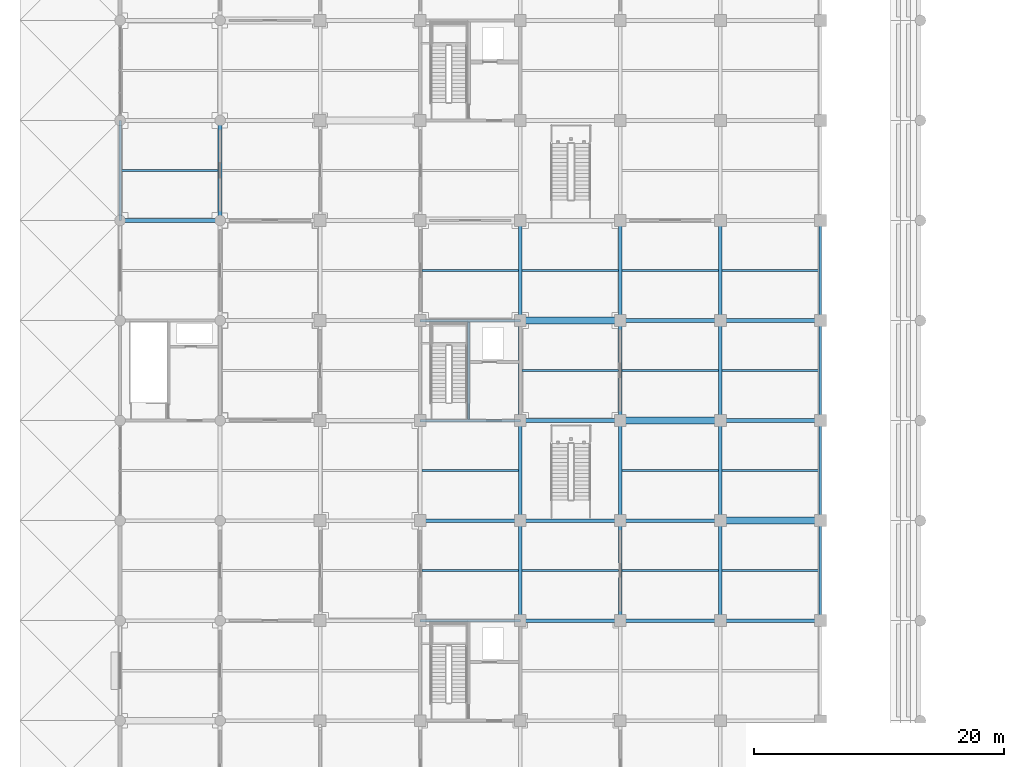
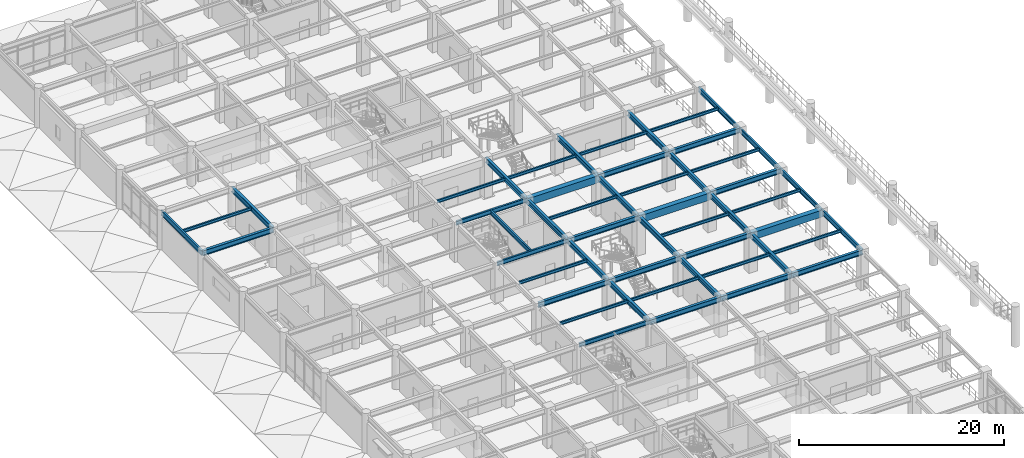
# One storey, part 16 of 109: 51 beams.
"""IFC4 building model written with IfcOpenShell, lengths in metres."""

from ifc_helpers import new_model, si_unit, direction, frame, origin, origin_2d, place, context, subcontext, project, spatial, rectangle, i_section, extrude, material, material_profile, profile_set, type_object, element, save


model = new_model("IFC4")

# Units and contexts
model_context = context("Model", 3, precision=1e-05, world=origin(), true_north=direction((0.0, 1.0)))
body_context = subcontext(model_context, "Body", "Model", "MODEL_VIEW")
ifc_project = project(units=[si_unit("LENGTHUNIT", "METRE"), si_unit("AREAUNIT", "SQUARE_METRE"), si_unit("VOLUMEUNIT", "CUBIC_METRE"), si_unit("PLANEANGLEUNIT", "RADIAN"), si_unit("MASSUNIT", "GRAM", prefix="KILO")], contexts=[model_context])

# Site, building, storey
site_placement = place(None, origin())
site = spatial("IfcSite", under=ifc_project, at=site_placement, CompositionType="ELEMENT")
building_placement = place(site_placement, origin())
building = spatial("IfcBuilding", under=site, at=building_placement, Name="Haebicheon Civic Stadium", CompositionType="ELEMENT")
storey_placement = place(building_placement, frame((0.0, 0.0, 9.60009765625)))
storey = spatial("IfcBuildingStorey", under=building, at=storey_placement, Name="L03", CompositionType="ELEMENT", Elevation=9.60009765625)

# Beams
ifc_material_1 = material(Name="Concrete C40/50", Category="concrete")
ifc_material_profile_1 = material_profile(ifc_material_1, rectangle(XDim=0.550048828125, YDim=0.85009765625, at=origin_2d()), Name="RC-BM-550x850")
ifc_profile_set_1 = profile_set([ifc_material_profile_1], Name="Concrete C40/50")
beam_type_1 = type_object("IfcBeamType", Name="BM-RC-550x850", PredefinedType="BEAM", material=ifc_profile_set_1)
for number, where, z_axis, x_axis, name in (
    (1, (40.0, 88.0, 4.114990234375), (1.0, 0.0, 0.0), (0.0, 1.0, 0.0), "L03 beam M/6-7"),
    (2, (48.0, 80.0, 4.114990234375), (1.0, 0.0, 0.0), (0.0, 1.0, 0.0), "L03 beam L/7-8"),
    (3, (56.0, 72.0, 4.114990234375), (1.0, 0.0, 0.0), (0.0, 1.0, 0.0), "L03 beam K/8-9"),
):
    element("IfcBeam", number, at=place(storey_placement, frame(where, z_axis=z_axis, x_axis=x_axis)), inside=storey, type_object=beam_type_1, material=ifc_profile_set_1, Name=name, PredefinedType="BEAM", context=body_context, shape_type="SweptSolid", body=[
        extrude(rectangle(XDim=0.550048828125, YDim=0.85009765625, at=origin_2d()), origin(), (0.0, 0.0, 1.0), 8.0),
    ])
ifc_material_2 = material(Name="Steel SM355 (S355)", Category="steel")
ifc_material_profile_2 = material_profile(ifc_material_2, i_section(OverallWidth=0.199951171875, OverallDepth=0.5, WebThickness=0.010009765625, FlangeThickness=0.01611328125, at=origin_2d()), Name="H-500x200x10x16")
ifc_profile_set_2 = profile_set([ifc_material_profile_2], Name="Steel SM355 (S355)")
beam_type_2 = type_object("IfcBeamType", Name="BM-ST-H500", PredefinedType="BEAM", material=ifc_profile_set_2)
for number, where, z_axis, x_axis, name in (
    (4, (32.0, 64.0, 4.289794921875), (1.0, 0.0, 0.0), (0.0, 1.0, 0.0), "L03 beam J/5-6"),
    (5, (32.0, 80.0, 4.289794921875), (1.0, 0.0, 0.0), (0.0, 1.0, 0.0), "L03 beam L/5-6"),
    (6, (32.0, 88.0, 4.289794921875), (1.0, 0.0, 0.0), (0.0, 1.0, 0.0), "L03 beam M/5-6"),
):
    element("IfcBeam", number, at=place(storey_placement, frame(where, z_axis=z_axis, x_axis=x_axis)), inside=storey, type_object=beam_type_2, material=ifc_profile_set_2, Name=name, PredefinedType="BEAM", context=body_context, shape_type="SweptSolid", body=[
        extrude(i_section(OverallWidth=0.199951171875, OverallDepth=0.5, WebThickness=0.010009765625, FlangeThickness=0.01611328125, at=origin_2d()), origin(), (0.0, 0.0, 1.0), 8.0),
    ])
beam_1_placement = place(storey_placement, frame((35.8798828125, 80.10009765625, 4.289794921875), z_axis=(0.0, 1.0, 0.0), x_axis=(-1.0, 0.0, 0.0)))
element("IfcBeam", 7, at=beam_1_placement, inside=storey, type_object=beam_type_2, material=ifc_profile_set_2, Name="L03 KC-03 core dividing wall support beam", PredefinedType="BEAM", context=body_context, shape_type="SweptSolid", body=[
    extrude(i_section(OverallWidth=0.199951171875, OverallDepth=0.5, WebThickness=0.010009765625, FlangeThickness=0.01611328125, at=origin_2d()), origin(), (0.0, 0.0, 1.0), 7.7998046875),
])
ifc_material_3 = material(Name="Steel SM355 (S355)", Category="steel")
ifc_material_profile_3 = material_profile(ifc_material_3, i_section(OverallWidth=0.300048828125, OverallDepth=0.60009765625, WebThickness=0.011962890625, FlangeThickness=0.02001953125, at=origin_2d()), Name="H-600x300x12x20")
ifc_profile_set_3 = profile_set([ifc_material_profile_3], Name="Steel SM355 (S355)")
beam_type_3 = type_object("IfcBeamType", Name="BM-ST-H600A", PredefinedType="BEAM", material=ifc_profile_set_3)
for number, where, z_axis, x_axis, name in (
    (8, (16.0, 96.0, 4.27978515625), (0.0, 1.0, 0.0), (-1.0, 0.0, 0.0), "L03 girder 3/N-P"),
    (9, (40.0, 64.0, 4.239990234375), (0.0, 1.0, 0.0), (-1.0, 0.0, 0.0), "L03 girder 6/J-K"),
    (10, (40.0, 72.0, 4.239990234375), (0.0, 1.0, 0.0), (-1.0, 0.0, 0.0), "L03 girder 6/K-L"),
    (11, (40.0, 80.0, 4.239990234375), (0.0, 1.0, 0.0), (-1.0, 0.0, 0.0), "L03 girder 6/L-M"),
    (12, (40.0, 88.0, 4.239990234375), (0.0, 1.0, 0.0), (-1.0, 0.0, 0.0), "L03 girder 6/M-N"),
    (13, (48.0, 64.0, 4.239990234375), (0.0, 1.0, 0.0), (-1.0, 0.0, 0.0), "L03 girder 7/J-K"),
    (14, (48.0, 72.0, 4.239990234375), (0.0, 1.0, 0.0), (-1.0, 0.0, 0.0), "L03 girder 7/K-L"),
    (15, (48.0, 80.0, 4.239990234375), (0.0, 1.0, 0.0), (-1.0, 0.0, 0.0), "L03 girder 7/L-M"),
    (16, (48.0, 88.0, 4.239990234375), (0.0, 1.0, 0.0), (-1.0, 0.0, 0.0), "L03 girder 7/M-N"),
    (17, (56.0, 64.0, 4.239990234375), (0.0, 1.0, 0.0), (-1.0, 0.0, 0.0), "L03 girder 8/J-K"),
    (18, (56.0, 72.0, 4.239990234375), (0.0, 1.0, 0.0), (-1.0, 0.0, 0.0), "L03 girder 8/K-L"),
    (19, (56.0, 80.0, 4.239990234375), (0.0, 1.0, 0.0), (-1.0, 0.0, 0.0), "L03 girder 8/L-M"),
    (20, (56.0, 88.0, 4.239990234375), (0.0, 1.0, 0.0), (-1.0, 0.0, 0.0), "L03 girder 8/M-N"),
    (21, (8.0, 96.0, 4.27978515625), (1.0, 0.0, 0.0), (0.0, 1.0, 0.0), "L03 beam N/2-3"),
    (22, (32.0, 72.0, 4.239990234375), (1.0, 0.0, 0.0), (0.0, 1.0, 0.0), "L03 beam K/5-6"),
    (23, (40.0, 64.0, 4.239990234375), (1.0, 0.0, 0.0), (0.0, 1.0, 0.0), "L03 beam J/6-7"),
    (24, (40.0, 72.0, 4.239990234375), (1.0, 0.0, 0.0), (0.0, 1.0, 0.0), "L03 beam K/6-7"),
    (25, (40.0, 80.0, 4.239990234375), (1.0, 0.0, 0.0), (0.0, 1.0, 0.0), "L03 beam L/6-7"),
    (26, (48.0, 64.0, 4.239990234375), (1.0, 0.0, 0.0), (0.0, 1.0, 0.0), "L03 beam J/7-8"),
    (27, (48.0, 72.0, 4.239990234375), (1.0, 0.0, 0.0), (0.0, 1.0, 0.0), "L03 beam K/7-8"),
    (28, (48.0, 88.0, 4.239990234375), (1.0, 0.0, 0.0), (0.0, 1.0, 0.0), "L03 beam M/7-8"),
    (29, (56.0, 64.0, 4.239990234375), (1.0, 0.0, 0.0), (0.0, 1.0, 0.0), "L03 beam J/8-9"),
    (30, (56.0, 80.0, 4.239990234375), (1.0, 0.0, 0.0), (0.0, 1.0, 0.0), "L03 beam L/8-9"),
    (31, (56.0, 88.0, 4.239990234375), (1.0, 0.0, 0.0), (0.0, 1.0, 0.0), "L03 beam M/8-9"),
):
    element("IfcBeam", number, at=place(storey_placement, frame(where, z_axis=z_axis, x_axis=x_axis)), inside=storey, type_object=beam_type_3, material=ifc_profile_set_3, Name=name, PredefinedType="BEAM", context=body_context, shape_type="SweptSolid", body=[
        extrude(i_section(OverallWidth=0.300048828125, OverallDepth=0.60009765625, WebThickness=0.011962890625, FlangeThickness=0.02001953125, at=origin_2d()), origin(), (0.0, 0.0, 1.0), 8.0),
    ])
ifc_material_4 = material(Name="Steel SM355 (S355)", Category="steel")
ifc_material_profile_4 = material_profile(ifc_material_4, i_section(OverallWidth=0.175048828125, OverallDepth=0.35009765625, WebThickness=0.007080078125, FlangeThickness=0.010986328125, at=origin_2d()), Name="H-350x175x7x11")
ifc_profile_set_4 = profile_set([ifc_material_profile_4], Name="Steel SM355 (S355)")
beam_type_4 = type_object("IfcBeamType", Name="JST-ST-H350", PredefinedType="JOIST", material=ifc_profile_set_4)
beam_2_placement = place(storey_placement, frame((8.10009765625, 100.0, 4.40478515625), z_axis=(1.0, 0.0, 0.0), x_axis=(0.0, 1.0, 0.0)))
element("IfcBeam", 32, at=beam_2_placement, inside=storey, type_object=beam_type_4, material=ifc_profile_set_4, Name="L03 secondary joist 01-12", PredefinedType="JOIST", context=body_context, shape_type="SweptSolid", body=[
    extrude(i_section(OverallWidth=0.175048828125, OverallDepth=0.35009765625, WebThickness=0.007080078125, FlangeThickness=0.010986328125, at=origin_2d()), origin(), (0.0, 0.0, 1.0), 7.75),
])
for number, where, z_axis, x_axis, name in (
    (33, (32.14990234375, 68.0, 4.364990234375), (1.0, 0.0, 0.0), (0.0, 1.0, 0.0), "L03 secondary joist 04-08"),
    (34, (32.14990234375, 76.0, 4.364990234375), (1.0, 0.0, 0.0), (0.0, 1.0, 0.0), "L03 secondary joist 04-09"),
    (35, (32.14990234375, 92.0, 4.364990234375), (1.0, 0.0, 0.0), (0.0, 1.0, 0.0), "L03 secondary joist 04-11"),
    (36, (40.14990234375, 68.0, 4.364990234375), (1.0, 0.0, 0.0), (0.0, 1.0, 0.0), "L03 secondary joist 05-08"),
    (37, (40.14990234375, 84.0, 4.364990234375), (1.0, 0.0, 0.0), (0.0, 1.0, 0.0), "L03 secondary joist 05-10"),
    (38, (40.14990234375, 92.0, 4.364990234375), (1.0, 0.0, 0.0), (0.0, 1.0, 0.0), "L03 secondary joist 05-11"),
    (39, (48.14990234375, 68.0, 4.364990234375), (1.0, 0.0, 0.0), (0.0, 1.0, 0.0), "L03 secondary joist 06-08"),
    (40, (48.14990234375, 76.0, 4.364990234375), (1.0, 0.0, 0.0), (0.0, 1.0, 0.0), "L03 secondary joist 06-09"),
    (41, (48.14990234375, 84.0, 4.364990234375), (1.0, 0.0, 0.0), (0.0, 1.0, 0.0), "L03 secondary joist 06-10"),
    (42, (48.14990234375, 92.0, 4.364990234375), (1.0, 0.0, 0.0), (0.0, 1.0, 0.0), "L03 secondary joist 06-11"),
):
    element("IfcBeam", number, at=place(storey_placement, frame(where, z_axis=z_axis, x_axis=x_axis)), inside=storey, type_object=beam_type_4, material=ifc_profile_set_4, Name=name, PredefinedType="JOIST", context=body_context, shape_type="SweptSolid", body=[
        extrude(i_section(OverallWidth=0.175048828125, OverallDepth=0.35009765625, WebThickness=0.007080078125, FlangeThickness=0.010986328125, at=origin_2d()), origin(), (0.0, 0.0, 1.0), 7.7001953125),
    ])
for number, where, z_axis, x_axis, name in (
    (43, (56.14990234375, 68.0, 4.364990234375), (1.0, 0.0, 0.0), (0.0, 1.0, 0.0), "L03 secondary joist 07-08"),
    (44, (56.14990234375, 76.0, 4.364990234375), (1.0, 0.0, 0.0), (0.0, 1.0, 0.0), "L03 secondary joist 07-09"),
    (45, (56.14990234375, 84.0, 4.364990234375), (1.0, 0.0, 0.0), (0.0, 1.0, 0.0), "L03 secondary joist 07-10"),
    (46, (56.14990234375, 92.0, 4.364990234375), (1.0, 0.0, 0.0), (0.0, 1.0, 0.0), "L03 secondary joist 07-11"),
):
    element("IfcBeam", number, at=place(storey_placement, frame(where, z_axis=z_axis, x_axis=x_axis)), inside=storey, type_object=beam_type_4, material=ifc_profile_set_4, Name=name, PredefinedType="JOIST", context=body_context, shape_type="SweptSolid", body=[
        extrude(i_section(OverallWidth=0.175048828125, OverallDepth=0.35009765625, WebThickness=0.007080078125, FlangeThickness=0.010986328125, at=origin_2d()), origin(), (0.0, 0.0, 1.0), 7.75),
    ])
ifc_material_5 = material(Name="Steel SM355 (S355)", Category="steel")
ifc_material_profile_5 = material_profile(ifc_material_5, i_section(OverallWidth=0.199951171875, OverallDepth=0.60009765625, WebThickness=0.010986328125, FlangeThickness=0.01708984375, at=origin_2d()), Name="H-600x200x11x17")
ifc_profile_set_5 = profile_set([ifc_material_profile_5], Name="Steel SM355 (S355)")
beam_type_5 = type_object("IfcBeamType", Name="SPD-ST-H600B", PredefinedType="SPANDREL", material=ifc_profile_set_5)
for number, where, z_axis, x_axis, name in (
    (47, (8.0, 96.0, 4.27978515625), (0.0, 1.0, 0.0), (-1.0, 0.0, 0.0), "L03 girder 2/N-P"),
    (48, (64.0, 64.0, 4.239990234375), (0.0, 1.0, 0.0), (-1.0, 0.0, 0.0), "L03 girder 9/J-K"),
    (49, (64.0, 72.0, 4.239990234375), (0.0, 1.0, 0.0), (-1.0, 0.0, 0.0), "L03 girder 9/K-L"),
    (50, (64.0, 80.0, 4.239990234375), (0.0, 1.0, 0.0), (-1.0, 0.0, 0.0), "L03 girder 9/L-M"),
    (51, (64.0, 88.0, 4.239990234375), (0.0, 1.0, 0.0), (-1.0, 0.0, 0.0), "L03 girder 9/M-N"),
):
    element("IfcBeam", number, at=place(storey_placement, frame(where, z_axis=z_axis, x_axis=x_axis)), inside=storey, type_object=beam_type_5, material=ifc_profile_set_5, Name=name, PredefinedType="SPANDREL", context=body_context, shape_type="SweptSolid", body=[
        extrude(i_section(OverallWidth=0.199951171875, OverallDepth=0.60009765625, WebThickness=0.010986328125, FlangeThickness=0.01708984375, at=origin_2d()), origin(), (0.0, 0.0, 1.0), 8.0),
    ])

save(model, "model.ifc")
